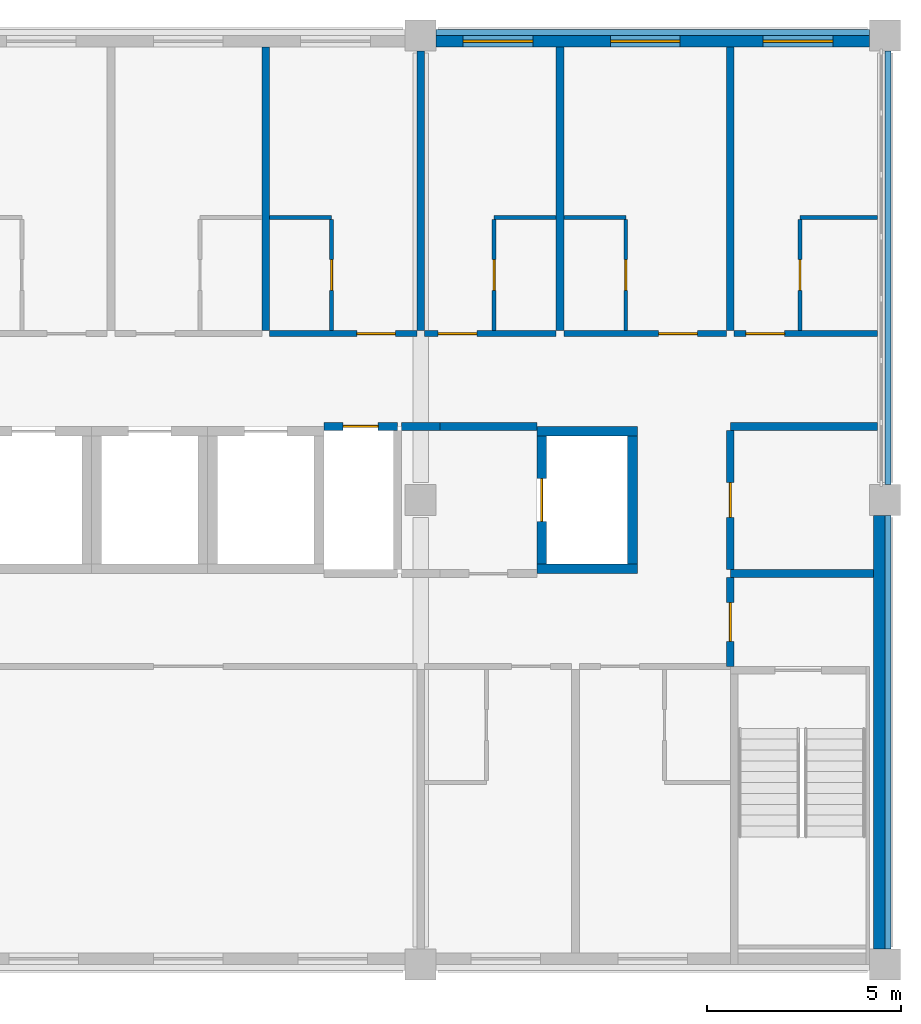
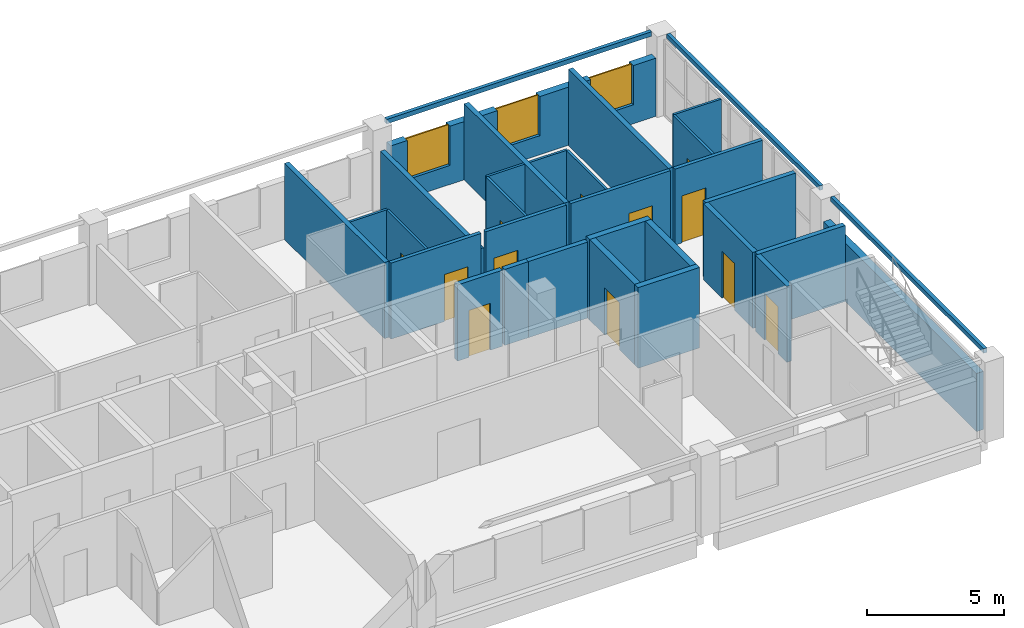
# One storey, part 9 of 11: 32 walls, 12 doors, 3 windows, 15 openings.
"""IFC4 building model written with IfcOpenShell, lengths in metres."""

from ifc_helpers import new_model, si_unit, direction, frame, frame_2d, origin, place, context, subcontext, project, spatial, rectangle, extrude, material, layer, layer_set, type_object, element, fill, save


model = new_model("IFC4")

# Units and contexts
model_context = context("Model", 3, precision=1e-05, world=origin(), true_north=direction((0.0, 1.0)))
body_context = subcontext(model_context, "Body", "Model", "MODEL_VIEW")
ifc_project = project(units=[si_unit("LENGTHUNIT", "METRE"), si_unit("AREAUNIT", "SQUARE_METRE"), si_unit("VOLUMEUNIT", "CUBIC_METRE"), si_unit("PLANEANGLEUNIT", "RADIAN"), si_unit("MASSUNIT", "GRAM", prefix="KILO")], contexts=[model_context])

# Site, building, storey
site_placement = place(None, origin())
site = spatial("IfcSite", under=ifc_project, at=site_placement, CompositionType="ELEMENT")
building_placement = place(site_placement, origin())
building = spatial("IfcBuilding", under=site, at=building_placement, Name="Lilac Gate Convention Centre", CompositionType="ELEMENT")
storey_placement = place(building_placement, frame((0.0, 0.0, 35.39990234375)))
storey = spatial("IfcBuildingStorey", under=building, at=storey_placement, Name="L08", CompositionType="ELEMENT", Elevation=35.39990234375)

# Walls
ifc_material_1 = material(Name="Concrete C50", Category="concrete")
ifc_layer_1 = layer(ifc_material_1, 0.25)
ifc_layer_set_1 = layer_set([ifc_layer_1], Name="Concrete C50")
wall_type_1 = type_object("IfcWallType", Name="Core wall 250 C50", PredefinedType="SHEAR", material=ifc_layer_set_1)
for number, where, z_axis, x_axis, name in (
    (1, (81.0, 232.22509765625, 0.0), (0.0, 0.0, 1.0), (1.0, 0.0, 0.0), "CRW4 core wall TC L08 33"),
    (2, (81.0, 235.77490234375, 0.0), (0.0, 0.0, 1.0), (1.0, 0.0, 0.0), "CRW4 core wall TC L08 34"),
):
    element("IfcWall", number, at=place(storey_placement, frame(where, z_axis=z_axis, x_axis=x_axis)), inside=storey, type_object=wall_type_1, Name=name, PredefinedType="SHEAR", context=body_context, shape_type="SweptSolid", body=[
        extrude(rectangle(XDim=2.60009765625, YDim=0.25, at=frame_2d((1.300048828125, 0.0))), origin(), (0.0, 0.0, 1.0), 3.60009765625),
    ])

# Wall, opening, door
wall_1_placement = place(storey_placement, frame((81.125, 232.35009765625, 0.0), z_axis=(0.0, 0.0, 1.0), x_axis=(0.0, 1.0, 0.0)))
wall_1 = element("IfcWall", 3, at=wall_1_placement, inside=storey, type_object=wall_type_1, Name="CRW4 core wall TC L08 35", PredefinedType="SHEAR", context=body_context, shape_type="SweptSolid", body=[
    extrude(rectangle(XDim=3.2998046875, YDim=0.25, at=frame_2d((1.64990234375, 0.0))), origin(), (0.0, 0.0, 1.0), 3.60009765625),
])
opening_1_placement = place(wall_1_placement, frame((1.10009765625, 0.0, 0.0)))
opening_1 = element("IfcOpeningElement", 4, at=opening_1_placement, cuts=wall_1, Name="Opening T07-044", PredefinedType="OPENING", context=body_context, shape_type="SweptSolid", body=[
    extrude(rectangle(XDim=1.10009765625, YDim=2.10009765625, at=frame_2d((0.550048828125, 1.050048828125))), frame((0.0, 0.135009765625, 0.0), z_axis=(0.0, -1.0, 0.0), x_axis=(1.0, 0.0, 0.0)), (0.0, 0.0, 1.0), 0.27001953125),
])
ifc_material_2 = material(Name="Stainless steel 304", Category="steel")
door_type_1 = type_object("IfcDoorType", Name="Lift landing door 1100", OperationType="SLIDING_TO_LEFT", PredefinedType="DOOR", material=ifc_material_2)
door_1_placement = place(opening_1_placement, origin())
door_1 = element("IfcDoor", 5, at=door_1_placement, inside=storey, type_object=door_type_1, Name="Lift landing door TF1 L08", OperationType="SLIDING_TO_LEFT", OverallHeight=2.10009765625, OverallWidth=1.10009765625, PredefinedType="DOOR", context=body_context, shape_type="SweptSolid", body=[
    extrude(rectangle(XDim=1.10009765625, YDim=2.10009765625, at=frame_2d((0.550048828125, 1.050048828125))), frame((0.0, 0.02490234375, 0.0), z_axis=(0.0, -1.0, 0.0), x_axis=(1.0, 0.0, 0.0)), (0.0, 0.0, 1.0), 0.050048828125),
])
fill(opening_1, door_1)

# Wall
wall_2_placement = place(storey_placement, frame((83.47509765625, 232.35009765625, 0.0), z_axis=(0.0, 0.0, 1.0), x_axis=(0.0, 1.0, 0.0)))
element("IfcWall", 6, at=wall_2_placement, inside=storey, type_object=wall_type_1, Name="CRW4 core wall TC L08 36", PredefinedType="SHEAR", context=body_context, shape_type="SweptSolid", body=[
    extrude(rectangle(XDim=3.2998046875, YDim=0.25, at=frame_2d((1.64990234375, 0.0))), origin(), (0.0, 0.0, 1.0), 3.60009765625),
])

# Wall, opening, door
ifc_material_3 = material(Name="Gypsum board on steel stud", Category="steel")
ifc_layer_2 = layer(ifc_material_3, 0.14990234375)
ifc_layer_set_2 = layer_set([ifc_layer_2], Name="Gypsum board on steel stud")
wall_type_2 = type_object("IfcWallType", Name="Corridor wall 150", PredefinedType="PARTITIONING", material=ifc_layer_set_2)
wall_3_placement = place(storey_placement, frame((74.10009765625, 238.300048828125, 0.0), z_axis=(0.0, 0.0, 1.0), x_axis=(1.0, 0.0, 0.0)))
wall_3 = element("IfcWall", 7, at=wall_3_placement, inside=storey, type_object=wall_type_2, Name="Corridor wall 150 front 0813", PredefinedType="PARTITIONING", context=body_context, shape_type="SweptSolid", body=[
    extrude(rectangle(XDim=3.7998046875, YDim=0.14990234375, at=frame_2d((1.89990234375, 0.0))), origin(), (0.0, 0.0, 1.0), 3.400146484375),
])
opening_2_placement = place(wall_3_placement, frame((2.25, 0.0, 0.0)))
opening_2 = element("IfcOpeningElement", 8, at=opening_2_placement, cuts=wall_3, Name="Opening T07-028", PredefinedType="OPENING", context=body_context, shape_type="SweptSolid", body=[
    extrude(rectangle(XDim=1.0, YDim=2.10009765625, at=frame_2d((0.5, 1.050048828125))), frame((0.0, 0.0849609375, 0.0), z_axis=(0.0, -1.0, 0.0), x_axis=(1.0, 0.0, 0.0)), (0.0, 0.0, 1.0), 0.169921875),
])
ifc_material_4 = material(Name="Timber", Category="wood")
door_type_2 = type_object("IfcDoorType", Name="Guest room entrance door 1000", OperationType="SINGLE_SWING_LEFT", PredefinedType="DOOR", material=ifc_material_4)
door_2_placement = place(opening_2_placement, origin())
door_2 = element("IfcDoor", 9, at=door_2_placement, inside=storey, type_object=door_type_2, Name="Guest room door 0813", OperationType="SINGLE_SWING_LEFT", OverallHeight=2.10009765625, OverallWidth=1.0, PredefinedType="DOOR", context=body_context, shape_type="SweptSolid", body=[
    extrude(rectangle(XDim=1.0, YDim=2.10009765625, at=frame_2d((0.5, 1.050048828125))), frame((0.0, 0.02490234375, 0.0), z_axis=(0.0, -1.0, 0.0), x_axis=(1.0, 0.0, 0.0)), (0.0, 0.0, 1.0), 0.050048828125),
])
fill(opening_2, door_2)

wall_4_placement = place(storey_placement, frame((78.10009765625, 238.300048828125, 0.0), z_axis=(0.0, 0.0, 1.0), x_axis=(1.0, 0.0, 0.0)))
wall_4 = element("IfcWall", 10, at=wall_4_placement, inside=storey, type_object=wall_type_2, Name="Corridor wall 150 front 0814", PredefinedType="PARTITIONING", context=body_context, shape_type="SweptSolid", body=[
    extrude(rectangle(XDim=3.39990234375, YDim=0.14990234375, at=frame_2d((1.699951171875, 0.0))), origin(), (0.0, 0.0, 1.0), 3.400146484375),
])
opening_3_placement = place(wall_4_placement, frame((0.35009765625, 0.0, 0.0)))
opening_3 = element("IfcOpeningElement", 11, at=opening_3_placement, cuts=wall_4, Name="Opening T07-030", PredefinedType="OPENING", context=body_context, shape_type="SweptSolid", body=[
    extrude(rectangle(XDim=1.0, YDim=2.10009765625, at=frame_2d((0.5, 1.050048828125))), frame((0.0, 0.0849609375, 0.0), z_axis=(0.0, -1.0, 0.0), x_axis=(1.0, 0.0, 0.0)), (0.0, 0.0, 1.0), 0.169921875),
])
door_3_placement = place(opening_3_placement, origin())
door_3 = element("IfcDoor", 12, at=door_3_placement, inside=storey, type_object=door_type_2, Name="Guest room door 0814", OperationType="SINGLE_SWING_LEFT", OverallHeight=2.10009765625, OverallWidth=1.0, PredefinedType="DOOR", context=body_context, shape_type="SweptSolid", body=[
    extrude(rectangle(XDim=1.0, YDim=2.10009765625, at=frame_2d((0.5, 1.050048828125))), frame((0.0, 0.02490234375, 0.0), z_axis=(0.0, -1.0, 0.0), x_axis=(1.0, 0.0, 0.0)), (0.0, 0.0, 1.0), 0.050048828125),
])
fill(opening_3, door_3)

wall_5_placement = place(storey_placement, frame((81.699951171875, 238.300048828125, 0.0), z_axis=(0.0, 0.0, 1.0), x_axis=(1.0, 0.0, 0.0)))
wall_5 = element("IfcWall", 13, at=wall_5_placement, inside=storey, type_object=wall_type_2, Name="Corridor wall 150 front 0815", PredefinedType="PARTITIONING", context=body_context, shape_type="SweptSolid", body=[
    extrude(rectangle(XDim=4.199951171875, YDim=0.14990234375, at=frame_2d((2.10009765625, 0.0))), origin(), (0.0, 0.0, 1.0), 3.400146484375),
])
opening_4_placement = place(wall_5_placement, frame((2.449951171875, 0.0, 0.0)))
opening_4 = element("IfcOpeningElement", 14, at=opening_4_placement, cuts=wall_5, Name="Opening T07-032", PredefinedType="OPENING", context=body_context, shape_type="SweptSolid", body=[
    extrude(rectangle(XDim=1.0, YDim=2.10009765625, at=frame_2d((0.5, 1.050048828125))), frame((0.0, 0.0849609375, 0.0), z_axis=(0.0, -1.0, 0.0), x_axis=(1.0, 0.0, 0.0)), (0.0, 0.0, 1.0), 0.169921875),
])
door_4_placement = place(opening_4_placement, origin())
door_4 = element("IfcDoor", 15, at=door_4_placement, inside=storey, type_object=door_type_2, Name="Guest room door 0815", OperationType="SINGLE_SWING_RIGHT", OverallHeight=2.10009765625, OverallWidth=1.0, PredefinedType="DOOR", context=body_context, shape_type="SweptSolid", body=[
    extrude(rectangle(XDim=1.0, YDim=2.10009765625, at=frame_2d((0.5, 1.050048828125))), frame((0.0, 0.02490234375, 0.0), z_axis=(0.0, -1.0, 0.0), x_axis=(1.0, 0.0, 0.0)), (0.0, 0.0, 1.0), 0.050048828125),
])
fill(opening_4, door_4)

wall_6_placement = place(storey_placement, frame((86.10009765625, 238.300048828125, 0.0), z_axis=(0.0, 0.0, 1.0), x_axis=(1.0, 0.0, 0.0)))
wall_6 = element("IfcWall", 16, at=wall_6_placement, inside=storey, type_object=wall_type_2, Name="Corridor wall 150 front 0816", PredefinedType="PARTITIONING", context=body_context, shape_type="SweptSolid", body=[
    extrude(rectangle(XDim=3.69970703125, YDim=0.14990234375, at=frame_2d((1.849853515625, 0.0))), origin(), (0.0, 0.0, 1.0), 3.400146484375),
])
opening_5_placement = place(wall_6_placement, frame((0.300048828125, 0.0, 0.0)))
opening_5 = element("IfcOpeningElement", 17, at=opening_5_placement, cuts=wall_6, Name="Opening T07-034", PredefinedType="OPENING", context=body_context, shape_type="SweptSolid", body=[
    extrude(rectangle(XDim=1.0, YDim=2.10009765625, at=frame_2d((0.5, 1.050048828125))), frame((0.0, 0.0849609375, 0.0), z_axis=(0.0, -1.0, 0.0), x_axis=(1.0, 0.0, 0.0)), (0.0, 0.0, 1.0), 0.169921875),
])
door_5_placement = place(opening_5_placement, origin())
door_5 = element("IfcDoor", 18, at=door_5_placement, inside=storey, type_object=door_type_2, Name="Guest room door 0816", OperationType="SINGLE_SWING_LEFT", OverallHeight=2.10009765625, OverallWidth=1.0, PredefinedType="DOOR", context=body_context, shape_type="SweptSolid", body=[
    extrude(rectangle(XDim=1.0, YDim=2.10009765625, at=frame_2d((0.5, 1.050048828125))), frame((0.0, 0.02490234375, 0.0), z_axis=(0.0, -1.0, 0.0), x_axis=(1.0, 0.0, 0.0)), (0.0, 0.0, 1.0), 0.050048828125),
])
fill(opening_5, door_5)

# Wall
ifc_layer_3 = layer(ifc_material_3, 0.10009765625)
ifc_layer_set_3 = layer_set([ifc_layer_3], Name="Gypsum board on steel stud")
wall_type_3 = type_object("IfcWallType", Name="En-suite wall 100", PredefinedType="PARTITIONING", material=ifc_layer_set_3)
wall_7_placement = place(storey_placement, frame((74.10009765625, 241.300048828125, 0.0), z_axis=(0.0, 0.0, 1.0), x_axis=(1.0, 0.0, 0.0)))
element("IfcWall", 19, at=wall_7_placement, inside=storey, type_object=wall_type_3, Name="En-suite wall 100 bath 0813", PredefinedType="PARTITIONING", context=body_context, shape_type="SweptSolid", body=[
    extrude(rectangle(XDim=1.599853515625, YDim=0.10009765625, at=frame_2d((0.7998046875, 0.0))), origin(), (0.0, 0.0, 1.0), 3.400146484375),
])

# Wall, opening, door
wall_8_placement = place(storey_placement, frame((75.699951171875, 241.25, 0.0), z_axis=(0.0, 0.0, 1.0), x_axis=(0.0, -1.0, 0.0)))
wall_8 = element("IfcWall", 20, at=wall_8_placement, inside=storey, type_object=wall_type_3, Name="En-suite wall 100 bath side 0813", PredefinedType="PARTITIONING", context=body_context, shape_type="SweptSolid", body=[
    extrude(rectangle(XDim=2.875, YDim=0.10009765625, at=frame_2d((1.4375, 0.0))), origin(), (0.0, 0.0, 1.0), 3.400146484375),
])
opening_6_placement = place(wall_8_placement, frame((1.03759765625, 0.0, 0.0)))
opening_6 = element("IfcOpeningElement", 21, at=opening_6_placement, cuts=wall_8, Name="Opening T07-029", PredefinedType="OPENING", context=body_context, shape_type="SweptSolid", body=[
    extrude(rectangle(XDim=0.800048828125, YDim=2.10009765625, at=frame_2d((0.39990234375, 1.050048828125))), frame((0.0, 0.06005859375, 0.0), z_axis=(0.0, -1.0, 0.0), x_axis=(1.0, 0.0, 0.0)), (0.0, 0.0, 1.0), 0.1201171875),
])
door_type_3 = type_object("IfcDoorType", Name="En-suite door 800", OperationType="SINGLE_SWING_LEFT", PredefinedType="DOOR", material=ifc_material_4)
door_6_placement = place(opening_6_placement, origin())
door_6 = element("IfcDoor", 22, at=door_6_placement, inside=storey, type_object=door_type_3, Name="En-suite door 0813", OperationType="SINGLE_SWING_RIGHT", OverallHeight=2.10009765625, OverallWidth=0.800048828125, PredefinedType="DOOR", context=body_context, shape_type="SweptSolid", body=[
    extrude(rectangle(XDim=0.800048828125, YDim=2.10009765625, at=frame_2d((0.39990234375, 1.050048828125))), frame((0.0, 0.02490234375, 0.0), z_axis=(0.0, -1.0, 0.0), x_axis=(1.0, 0.0, 0.0)), (0.0, 0.0, 1.0), 0.050048828125),
])
fill(opening_6, door_6)

# Wall
wall_9_placement = place(storey_placement, frame((79.89990234375, 241.300048828125, 0.0), z_axis=(0.0, 0.0, 1.0), x_axis=(1.0, 0.0, 0.0)))
element("IfcWall", 23, at=wall_9_placement, inside=storey, type_object=wall_type_3, Name="En-suite wall 100 bath 0814", PredefinedType="PARTITIONING", context=body_context, shape_type="SweptSolid", body=[
    extrude(rectangle(XDim=1.60009765625, YDim=0.10009765625, at=frame_2d((0.800048828125, 0.0))), origin(), (0.0, 0.0, 1.0), 3.400146484375),
])

# Wall, opening, door
wall_10_placement = place(storey_placement, frame((79.89990234375, 238.375, 0.0), z_axis=(0.0, 0.0, 1.0), x_axis=(0.0, 1.0, 0.0)))
wall_10 = element("IfcWall", 24, at=wall_10_placement, inside=storey, type_object=wall_type_3, Name="En-suite wall 100 bath side 0814", PredefinedType="PARTITIONING", context=body_context, shape_type="SweptSolid", body=[
    extrude(rectangle(XDim=2.875, YDim=0.10009765625, at=frame_2d((1.4375, 0.0))), origin(), (0.0, 0.0, 1.0), 3.400146484375),
])
opening_7_placement = place(wall_10_placement, frame((1.03759765625, 0.0, 0.0)))
opening_7 = element("IfcOpeningElement", 25, at=opening_7_placement, cuts=wall_10, Name="Opening T07-031", PredefinedType="OPENING", context=body_context, shape_type="SweptSolid", body=[
    extrude(rectangle(XDim=0.800048828125, YDim=2.10009765625, at=frame_2d((0.39990234375, 1.050048828125))), frame((0.0, 0.06005859375, 0.0), z_axis=(0.0, -1.0, 0.0), x_axis=(1.0, 0.0, 0.0)), (0.0, 0.0, 1.0), 0.1201171875),
])
door_7_placement = place(opening_7_placement, origin())
door_7 = element("IfcDoor", 26, at=door_7_placement, inside=storey, type_object=door_type_3, Name="En-suite door 0814", OperationType="SINGLE_SWING_LEFT", OverallHeight=2.10009765625, OverallWidth=0.800048828125, PredefinedType="DOOR", context=body_context, shape_type="SweptSolid", body=[
    extrude(rectangle(XDim=0.800048828125, YDim=2.10009765625, at=frame_2d((0.39990234375, 1.050048828125))), frame((0.0, 0.02490234375, 0.0), z_axis=(0.0, -1.0, 0.0), x_axis=(1.0, 0.0, 0.0)), (0.0, 0.0, 1.0), 0.050048828125),
])
fill(opening_7, door_7)

# Wall
wall_11_placement = place(storey_placement, frame((81.699951171875, 241.300048828125, 0.0), z_axis=(0.0, 0.0, 1.0), x_axis=(1.0, 0.0, 0.0)))
element("IfcWall", 27, at=wall_11_placement, inside=storey, type_object=wall_type_3, Name="En-suite wall 100 bath 0815", PredefinedType="PARTITIONING", context=body_context, shape_type="SweptSolid", body=[
    extrude(rectangle(XDim=1.60009765625, YDim=0.10009765625, at=frame_2d((0.800048828125, 0.0))), origin(), (0.0, 0.0, 1.0), 3.400146484375),
])

# Wall, opening, door
wall_12_placement = place(storey_placement, frame((83.300048828125, 241.25, 0.0), z_axis=(0.0, 0.0, 1.0), x_axis=(0.0, -1.0, 0.0)))
wall_12 = element("IfcWall", 28, at=wall_12_placement, inside=storey, type_object=wall_type_3, Name="En-suite wall 100 bath side 0815", PredefinedType="PARTITIONING", context=body_context, shape_type="SweptSolid", body=[
    extrude(rectangle(XDim=2.875, YDim=0.10009765625, at=frame_2d((1.4375, 0.0))), origin(), (0.0, 0.0, 1.0), 3.400146484375),
])
opening_8_placement = place(wall_12_placement, frame((1.03759765625, 0.0, 0.0)))
opening_8 = element("IfcOpeningElement", 29, at=opening_8_placement, cuts=wall_12, Name="Opening T07-033", PredefinedType="OPENING", context=body_context, shape_type="SweptSolid", body=[
    extrude(rectangle(XDim=0.800048828125, YDim=2.10009765625, at=frame_2d((0.39990234375, 1.050048828125))), frame((0.0, 0.06005859375, 0.0), z_axis=(0.0, -1.0, 0.0), x_axis=(1.0, 0.0, 0.0)), (0.0, 0.0, 1.0), 0.1201171875),
])
door_8_placement = place(opening_8_placement, origin())
door_8 = element("IfcDoor", 30, at=door_8_placement, inside=storey, type_object=door_type_3, Name="En-suite door 0815", OperationType="SINGLE_SWING_RIGHT", OverallHeight=2.10009765625, OverallWidth=0.800048828125, PredefinedType="DOOR", context=body_context, shape_type="SweptSolid", body=[
    extrude(rectangle(XDim=0.800048828125, YDim=2.10009765625, at=frame_2d((0.39990234375, 1.050048828125))), frame((0.0, 0.02490234375, 0.0), z_axis=(0.0, -1.0, 0.0), x_axis=(1.0, 0.0, 0.0)), (0.0, 0.0, 1.0), 0.050048828125),
])
fill(opening_8, door_8)

# Wall
wall_13_placement = place(storey_placement, frame((87.800048828125, 241.300048828125, 0.0), z_axis=(0.0, 0.0, 1.0), x_axis=(1.0, 0.0, 0.0)))
element("IfcWall", 31, at=wall_13_placement, inside=storey, type_object=wall_type_3, Name="En-suite wall 100 bath 0816", PredefinedType="PARTITIONING", context=body_context, shape_type="SweptSolid", body=[
    extrude(rectangle(XDim=1.999755859375, YDim=0.10009765625, at=frame_2d((1.0, 0.0))), origin(), (0.0, 0.0, 1.0), 3.400146484375),
])

# Wall, opening, door
wall_14_placement = place(storey_placement, frame((87.800048828125, 238.375, 0.0), z_axis=(0.0, 0.0, 1.0), x_axis=(0.0, 1.0, 0.0)))
wall_14 = element("IfcWall", 32, at=wall_14_placement, inside=storey, type_object=wall_type_3, Name="En-suite wall 100 bath side 0816", PredefinedType="PARTITIONING", context=body_context, shape_type="SweptSolid", body=[
    extrude(rectangle(XDim=2.875, YDim=0.10009765625, at=frame_2d((1.4375, 0.0))), origin(), (0.0, 0.0, 1.0), 3.400146484375),
])
opening_9_placement = place(wall_14_placement, frame((1.03759765625, 0.0, 0.0)))
opening_9 = element("IfcOpeningElement", 33, at=opening_9_placement, cuts=wall_14, Name="Opening T07-035", PredefinedType="OPENING", context=body_context, shape_type="SweptSolid", body=[
    extrude(rectangle(XDim=0.800048828125, YDim=2.10009765625, at=frame_2d((0.39990234375, 1.050048828125))), frame((0.0, 0.06005859375, 0.0), z_axis=(0.0, -1.0, 0.0), x_axis=(1.0, 0.0, 0.0)), (0.0, 0.0, 1.0), 0.1201171875),
])
door_9_placement = place(opening_9_placement, origin())
door_9 = element("IfcDoor", 34, at=door_9_placement, inside=storey, type_object=door_type_3, Name="En-suite door 0816", OperationType="SINGLE_SWING_LEFT", OverallHeight=2.10009765625, OverallWidth=0.800048828125, PredefinedType="DOOR", context=body_context, shape_type="SweptSolid", body=[
    extrude(rectangle(XDim=0.800048828125, YDim=2.10009765625, at=frame_2d((0.39990234375, 1.050048828125))), frame((0.0, 0.02490234375, 0.0), z_axis=(0.0, -1.0, 0.0), x_axis=(1.0, 0.0, 0.0)), (0.0, 0.0, 1.0), 0.050048828125),
])
fill(opening_9, door_9)

# Walls
ifc_layer_4 = layer(ifc_material_3, 0.199951171875)
ifc_layer_set_4 = layer_set([ifc_layer_4], Name="Gypsum board on steel stud")
wall_type_4 = type_object("IfcWallType", Name="Guest room party wall 200", PredefinedType="PARTITIONING", material=ifc_layer_set_4)
wall_15_placement = place(storey_placement, frame((74.0, 245.7001953125, 0.0), z_axis=(0.0, 0.0, 1.0), x_axis=(0.0, -1.0, 0.0)))
element("IfcWall", 35, at=wall_15_placement, inside=storey, type_object=wall_type_4, Name="Guest room party wall 200 party 74.0", PredefinedType="PARTITIONING", context=body_context, shape_type="SweptSolid", body=[
    extrude(rectangle(XDim=7.3251953125, YDim=0.199951171875, at=frame_2d((3.66259765625, 0.0))), origin(), (0.0, 0.0, 1.0), 3.400146484375),
])
wall_16_placement = place(storey_placement, frame((78.0, 245.60009765625, 0.0), z_axis=(0.0, 0.0, 1.0), x_axis=(0.0, -1.0, 0.0)))
element("IfcWall", 36, at=wall_16_placement, inside=storey, type_object=wall_type_4, Name="Guest room party wall 200 party 78.0", PredefinedType="PARTITIONING", context=body_context, shape_type="SweptSolid", body=[
    extrude(rectangle(XDim=7.22509765625, YDim=0.199951171875, at=frame_2d((3.612548828125, 0.0))), origin(), (0.0, 0.0, 1.0), 2.60009765625),
])
for number, where, z_axis, x_axis, name in (
    (37, (81.60009765625, 245.7001953125, 0.0), (0.0, 0.0, 1.0), (0.0, -1.0, 0.0), "Guest room party wall 200 party 81.6"),
    (38, (86.0, 245.7001953125, 0.0), (0.0, 0.0, 1.0), (0.0, -1.0, 0.0), "Guest room party wall 200 party 86.0"),
):
    element("IfcWall", number, at=place(storey_placement, frame(where, z_axis=z_axis, x_axis=x_axis)), inside=storey, type_object=wall_type_4, Name=name, PredefinedType="PARTITIONING", context=body_context, shape_type="SweptSolid", body=[
        extrude(rectangle(XDim=7.3251953125, YDim=0.199951171875, at=frame_2d((3.66259765625, 0.0))), origin(), (0.0, 0.0, 1.0), 3.400146484375),
    ])
ifc_layer_5 = layer(ifc_material_3, 0.199951171875)
ifc_layer_set_5 = layer_set([ifc_layer_5], Name="Gypsum board on steel stud")
wall_type_5 = type_object("IfcWallType", Name="Lobby wall 200", PredefinedType="PARTITIONING", material=ifc_layer_set_5)
wall_17_placement = place(storey_placement, frame((86.0, 232.10009765625, 0.0), z_axis=(0.0, 0.0, 1.0), x_axis=(1.0, 0.0, 0.0)))
element("IfcWall", 39, at=wall_17_placement, inside=storey, type_object=wall_type_5, Name="Lobby wall 200 STL-N", PredefinedType="PARTITIONING", context=body_context, shape_type="SweptSolid", body=[
    extrude(rectangle(XDim=3.7001953125, YDim=0.199951171875, at=frame_2d((1.85009765625, 0.0))), origin(), (0.0, 0.0, 1.0), 3.400146484375),
])
wall_18_placement = place(storey_placement, frame((78.5, 235.89990234375, 0.0), z_axis=(0.0, 0.0, 1.0), x_axis=(1.0, 0.0, 0.0)))
element("IfcWall", 40, at=wall_18_placement, inside=storey, type_object=wall_type_5, Name="Lobby wall 200 FFL-N", PredefinedType="PARTITIONING", context=body_context, shape_type="SweptSolid", body=[
    extrude(rectangle(XDim=2.5, YDim=0.199951171875, at=frame_2d((1.25, 0.0))), origin(), (0.0, 0.0, 1.0), 3.400146484375),
])

# Wall, opening, door
wall_19_placement = place(storey_placement, frame((86.0, 232.0, 0.0), z_axis=(0.0, 0.0, 1.0), x_axis=(0.0, -1.0, 0.0)))
wall_19 = element("IfcWall", 41, at=wall_19_placement, inside=storey, type_object=wall_type_5, Name="Lobby wall 200 STL-SE-W", PredefinedType="PARTITIONING", context=body_context, shape_type="SweptSolid", body=[
    extrude(rectangle(XDim=2.300048828125, YDim=0.199951171875, at=frame_2d((1.14990234375, 0.0))), origin(), (0.0, 0.0, 1.0), 3.400146484375),
])
opening_10_placement = place(wall_19_placement, frame((0.64990234375, 0.0, 0.0)))
opening_10 = element("IfcOpeningElement", 42, at=opening_10_placement, cuts=wall_19, Name="Opening T07-007", PredefinedType="OPENING", context=body_context, shape_type="SweptSolid", body=[
    extrude(rectangle(XDim=1.0, YDim=2.10009765625, at=frame_2d((0.5, 1.050048828125))), frame((0.0, 0.10986328125, 0.0), z_axis=(0.0, -1.0, 0.0), x_axis=(1.0, 0.0, 0.0)), (0.0, 0.0, 1.0), 0.219970703125),
])
ifc_material_5 = material(Name="Steel Q235B", Category="steel")
door_type_4 = type_object("IfcDoorType", Name="Lobby door 1000", OperationType="SINGLE_SWING_LEFT", PredefinedType="DOOR", material=ifc_material_5)
door_10_placement = place(opening_10_placement, origin())
door_10 = element("IfcDoor", 43, at=door_10_placement, inside=storey, type_object=door_type_4, Name="Stair lobby door SE", OperationType="SINGLE_SWING_LEFT", OverallHeight=2.10009765625, OverallWidth=1.0, PredefinedType="DOOR", context=body_context, shape_type="SweptSolid", body=[
    extrude(rectangle(XDim=1.0, YDim=2.10009765625, at=frame_2d((0.5, 1.050048828125))), frame((0.0, 0.02490234375, 0.0), z_axis=(0.0, -1.0, 0.0), x_axis=(1.0, 0.0, 0.0)), (0.0, 0.0, 1.0), 0.050048828125),
])
fill(opening_10, door_10)

# Walls
ifc_material_6 = material(Name="Concrete C40 precast", Category="concrete")
ifc_layer_6 = layer(ifc_material_6, 0.1298828125)
ifc_material_7 = material(Name="Terracotta glazed cladding", Category="masonry")
ifc_layer_7 = layer(ifc_material_7, 0.02001953125)
ifc_layer_set_6 = layer_set([ifc_layer_6, ifc_layer_7], Name="Concrete C40 precast, Terracotta glazed cladding")
wall_type_6 = type_object("IfcWallType", Name="Precast band terracotta 150", PredefinedType="STANDARD", material=ifc_layer_set_6)
for number, where, z_axis, x_axis, name in (
    (44, (90.074951171875, 222.39990234375, 3.400146484375), (0.0, 0.0, 1.0), (0.0, 1.0, 0.0), "Precast band E L08 1"),
    (45, (90.074951171875, 234.39990234375, 3.400146484375), (0.0, 0.0, 1.0), (0.0, 1.0, 0.0), "Precast band E L08 2"),
    (46, (89.60009765625, 246.074951171875, 3.400146484375), (0.0, 0.0, 1.0), (-1.0, 0.0, 0.0), "Precast band N L08 1"),
):
    element("IfcWall", number, at=place(storey_placement, frame(where, z_axis=z_axis, x_axis=x_axis)), inside=storey, type_object=wall_type_6, Name=name, PredefinedType="STANDARD", context=body_context, shape_type="SweptSolid", body=[
        extrude(rectangle(XDim=11.2001953125, YDim=0.14990234375, at=frame_2d((5.60009765625, 0.0))), origin(), (0.0, 0.0, 1.0), 0.199951171875),
    ])
ifc_layer_8 = layer(ifc_material_7, 0.02001953125)
ifc_layer_9 = layer(ifc_material_6, 0.06005859375)
ifc_material_8 = material(Name="Ventilated air cavity")
ifc_layer_10 = layer(ifc_material_8, 0.030029296875)
ifc_material_9 = material(Name="Mineral wool insulation")
ifc_layer_11 = layer(ifc_material_9, 0.1201171875)
ifc_material_10 = material(Name="Steel stud Q345 and gypsum lining", Category="steel")
ifc_layer_12 = layer(ifc_material_10, 0.070068359375)
ifc_layer_set_7 = layer_set([ifc_layer_8, ifc_layer_9, ifc_layer_10, ifc_layer_11, ifc_layer_12], Name="Terracotta glazed cladding, Concrete C40 precast, Ventilated air cavity, Mineral wool insulation, Steel stud Q345 and gypsum lining")
wall_type_7 = type_object("IfcWallType", Name="Precast panel wall terracotta 300", PredefinedType="STANDARD", material=ifc_layer_set_7)
wall_20_placement = place(storey_placement, frame((89.85009765625, 222.39990234375, 0.0), z_axis=(0.0, 0.0, 1.0), x_axis=(0.0, 1.0, 0.0)))
element("IfcWall", 47, at=wall_20_placement, inside=storey, type_object=wall_type_7, Name="External wall E L08 1", PredefinedType="STANDARD", context=body_context, shape_type="SweptSolid", body=[
    extrude(rectangle(XDim=11.2001953125, YDim=0.300048828125, at=frame_2d((5.60009765625, 0.0))), origin(), (0.0, 0.0, 1.0), 2.60009765625),
])

# Wall, openings, windows
wall_21_placement = place(storey_placement, frame((89.60009765625, 245.85009765625, 0.0), z_axis=(0.0, 0.0, 1.0), x_axis=(-1.0, 0.0, 0.0)))
wall_21 = element("IfcWall", 48, at=wall_21_placement, inside=storey, type_object=wall_type_7, Name="External wall N L08 1", PredefinedType="STANDARD", context=body_context, shape_type="SweptSolid", body=[
    extrude(rectangle(XDim=11.2001953125, YDim=0.300048828125, at=frame_2d((5.60009765625, 0.0))), origin(), (0.0, 0.0, 1.0), 2.60009765625),
])
opening_11_placement = place(wall_21_placement, frame((8.699951171875, 0.0, 0.85009765625)))
opening_11 = element("IfcOpeningElement", 49, at=opening_11_placement, cuts=wall_21, Name="Opening W1", PredefinedType="OPENING", context=body_context, shape_type="SweptSolid", body=[
    extrude(rectangle(XDim=1.800048828125, YDim=1.75, at=frame_2d((0.89990234375, 0.875))), frame((0.0, 0.159912109375, 0.0), z_axis=(0.0, -1.0, 0.0), x_axis=(1.0, 0.0, 0.0)), (0.0, 0.0, 1.0), 0.320068359375),
])
opening_12_placement = place(wall_21_placement, frame((4.89990234375, 0.0, 0.85009765625)))
opening_12 = element("IfcOpeningElement", 50, at=opening_12_placement, cuts=wall_21, Name="Opening W1", PredefinedType="OPENING", context=body_context, shape_type="SweptSolid", body=[
    extrude(rectangle(XDim=1.800048828125, YDim=1.75, at=frame_2d((0.89990234375, 0.875))), frame((0.0, 0.159912109375, 0.0), z_axis=(0.0, -1.0, 0.0), x_axis=(1.0, 0.0, 0.0)), (0.0, 0.0, 1.0), 0.320068359375),
])
opening_13_placement = place(wall_21_placement, frame((0.949951171875, 0.0, 0.85009765625)))
opening_13 = element("IfcOpeningElement", 51, at=opening_13_placement, cuts=wall_21, Name="Opening W1", PredefinedType="OPENING", context=body_context, shape_type="SweptSolid", body=[
    extrude(rectangle(XDim=1.800048828125, YDim=1.75, at=frame_2d((0.89990234375, 0.875))), frame((0.0, 0.159912109375, 0.0), z_axis=(0.0, -1.0, 0.0), x_axis=(1.0, 0.0, 0.0)), (0.0, 0.0, 1.0), 0.320068359375),
])
ifc_material_11 = material(Name="Aluminium framed double glazing", Category="aluminium")
window_type = type_object("IfcWindowType", Name="Guest room window 1800 x 1750", PartitioningType="DOUBLE_PANEL_VERTICAL", PredefinedType="WINDOW", material=ifc_material_11)
window_1_placement = place(opening_11_placement, origin())
window_1 = element("IfcWindow", 52, at=window_1_placement, inside=storey, type_object=window_type, Name="Window Guest N L08", OverallHeight=1.75, OverallWidth=1.800048828125, PartitioningType="SINGLE_PANEL", PredefinedType="WINDOW", context=body_context, shape_type="SweptSolid", body=[
    extrude(rectangle(XDim=1.800048828125, YDim=1.75, at=frame_2d((0.89990234375, 0.875))), frame((0.0, 0.030029296875, 0.0), z_axis=(0.0, -1.0, 0.0), x_axis=(1.0, 0.0, 0.0)), (0.0, 0.0, 1.0), 0.06005859375),
])
fill(opening_11, window_1)
window_2_placement = place(opening_12_placement, origin())
window_2 = element("IfcWindow", 53, at=window_2_placement, inside=storey, type_object=window_type, Name="Window Guest N L08", OverallHeight=1.75, OverallWidth=1.800048828125, PartitioningType="SINGLE_PANEL", PredefinedType="WINDOW", context=body_context, shape_type="SweptSolid", body=[
    extrude(rectangle(XDim=1.800048828125, YDim=1.75, at=frame_2d((0.89990234375, 0.875))), frame((0.0, 0.030029296875, 0.0), z_axis=(0.0, -1.0, 0.0), x_axis=(1.0, 0.0, 0.0)), (0.0, 0.0, 1.0), 0.06005859375),
])
fill(opening_12, window_2)
window_3_placement = place(opening_13_placement, origin())
window_3 = element("IfcWindow", 54, at=window_3_placement, inside=storey, type_object=window_type, Name="Window Guest N L08", OverallHeight=1.75, OverallWidth=1.800048828125, PartitioningType="SINGLE_PANEL", PredefinedType="WINDOW", context=body_context, shape_type="SweptSolid", body=[
    extrude(rectangle(XDim=1.800048828125, YDim=1.75, at=frame_2d((0.89990234375, 0.875))), frame((0.0, 0.030029296875, 0.0), z_axis=(0.0, -1.0, 0.0), x_axis=(1.0, 0.0, 0.0)), (0.0, 0.0, 1.0), 0.06005859375),
])
fill(opening_13, window_3)

# Wall, opening, door
ifc_layer_13 = layer(ifc_material_3, 0.199951171875)
ifc_layer_set_8 = layer_set([ifc_layer_13], Name="Gypsum board on steel stud")
wall_type_8 = type_object("IfcWallType", Name="Riser and store wall 200", PredefinedType="PARTITIONING", material=ifc_layer_set_8)
wall_22_placement = place(storey_placement, frame((77.39990234375, 235.89990234375, 0.0), z_axis=(0.0, 0.0, 1.0), x_axis=(-1.0, 0.0, 0.0)))
wall_22 = element("IfcWall", 55, at=wall_22_placement, inside=storey, type_object=wall_type_8, Name="Riser and store wall 200 RS2-N", PredefinedType="PARTITIONING", context=body_context, shape_type="SweptSolid", body=[
    extrude(rectangle(XDim=1.89990234375, YDim=0.199951171875, at=frame_2d((0.949951171875, 0.0))), origin(), (0.0, 0.0, 1.0), 3.400146484375),
])
opening_14_placement = place(wall_22_placement, frame((0.5, 0.0, 0.0)))
opening_14 = element("IfcOpeningElement", 56, at=opening_14_placement, cuts=wall_22, Name="Opening T07-003", PredefinedType="OPENING", context=body_context, shape_type="SweptSolid", body=[
    extrude(rectangle(XDim=0.89990234375, YDim=2.10009765625, at=frame_2d((0.449951171875, 1.050048828125))), frame((0.0, 0.10986328125, 0.0), z_axis=(0.0, -1.0, 0.0), x_axis=(1.0, 0.0, 0.0)), (0.0, 0.0, 1.0), 0.219970703125),
])
door_type_5 = type_object("IfcDoorType", Name="Riser and store door 900", OperationType="SINGLE_SWING_LEFT", PredefinedType="DOOR", material=ifc_material_5)
door_11_placement = place(opening_14_placement, origin())
door_11 = element("IfcDoor", 57, at=door_11_placement, inside=storey, type_object=door_type_5, Name="Riser room door", OperationType="SINGLE_SWING_LEFT", OverallHeight=2.10009765625, OverallWidth=0.89990234375, PredefinedType="DOOR", context=body_context, shape_type="SweptSolid", body=[
    extrude(rectangle(XDim=0.89990234375, YDim=2.10009765625, at=frame_2d((0.449951171875, 1.050048828125))), frame((0.0, 0.02490234375, 0.0), z_axis=(0.0, -1.0, 0.0), x_axis=(1.0, 0.0, 0.0)), (0.0, 0.0, 1.0), 0.050048828125),
])
fill(opening_14, door_11)

# Walls
wall_23_placement = place(storey_placement, frame((77.5, 235.89990234375, 0.0), z_axis=(0.0, 0.0, 1.0), x_axis=(1.0, 0.0, 0.0)))
element("IfcWall", 58, at=wall_23_placement, inside=storey, type_object=wall_type_8, Name="Riser and store wall 200 NICHE3-N", PredefinedType="PARTITIONING", context=body_context, shape_type="SweptSolid", body=[
    extrude(rectangle(XDim=1.0, YDim=0.199951171875, at=frame_2d((0.5, 0.0))), origin(), (0.0, 0.0, 1.0), 3.400146484375),
])
wall_24_placement = place(storey_placement, frame((86.0, 235.89990234375, 0.0), z_axis=(0.0, 0.0, 1.0), x_axis=(1.0, 0.0, 0.0)))
element("IfcWall", 59, at=wall_24_placement, inside=storey, type_object=wall_type_8, Name="Riser and store wall 200 STE-N", PredefinedType="PARTITIONING", context=body_context, shape_type="SweptSolid", body=[
    extrude(rectangle(XDim=3.7998046875, YDim=0.199951171875, at=frame_2d((1.89990234375, 0.0))), origin(), (0.0, 0.0, 1.0), 3.400146484375),
])

# Wall, opening, door
wall_25_placement = place(storey_placement, frame((86.0, 235.800048828125, 0.0), z_axis=(0.0, 0.0, 1.0), x_axis=(0.0, -1.0, 0.0)))
wall_25 = element("IfcWall", 60, at=wall_25_placement, inside=storey, type_object=wall_type_8, Name="Riser and store wall 200 STE-W", PredefinedType="PARTITIONING", context=body_context, shape_type="SweptSolid", body=[
    extrude(rectangle(XDim=3.60009765625, YDim=0.199951171875, at=frame_2d((1.800048828125, 0.0))), origin(), (0.0, 0.0, 1.0), 3.400146484375),
])
opening_15_placement = place(wall_25_placement, frame((1.35009765625, 0.0, 0.0)))
opening_15 = element("IfcOpeningElement", 61, at=opening_15_placement, cuts=wall_25, Name="Opening T07-005", PredefinedType="OPENING", context=body_context, shape_type="SweptSolid", body=[
    extrude(rectangle(XDim=0.89990234375, YDim=2.10009765625, at=frame_2d((0.449951171875, 1.050048828125))), frame((0.0, 0.10986328125, 0.0), z_axis=(0.0, -1.0, 0.0), x_axis=(1.0, 0.0, 0.0)), (0.0, 0.0, 1.0), 0.219970703125),
])
door_12_placement = place(opening_15_placement, origin())
door_12 = element("IfcDoor", 62, at=door_12_placement, inside=storey, type_object=door_type_5, Name="Linen store door", OperationType="SINGLE_SWING_LEFT", OverallHeight=2.10009765625, OverallWidth=0.89990234375, PredefinedType="DOOR", context=body_context, shape_type="SweptSolid", body=[
    extrude(rectangle(XDim=0.89990234375, YDim=2.10009765625, at=frame_2d((0.449951171875, 1.050048828125))), frame((0.0, 0.02490234375, 0.0), z_axis=(0.0, -1.0, 0.0), x_axis=(1.0, 0.0, 0.0)), (0.0, 0.0, 1.0), 0.050048828125),
])
fill(opening_15, door_12)

save(model, "model.ifc")
